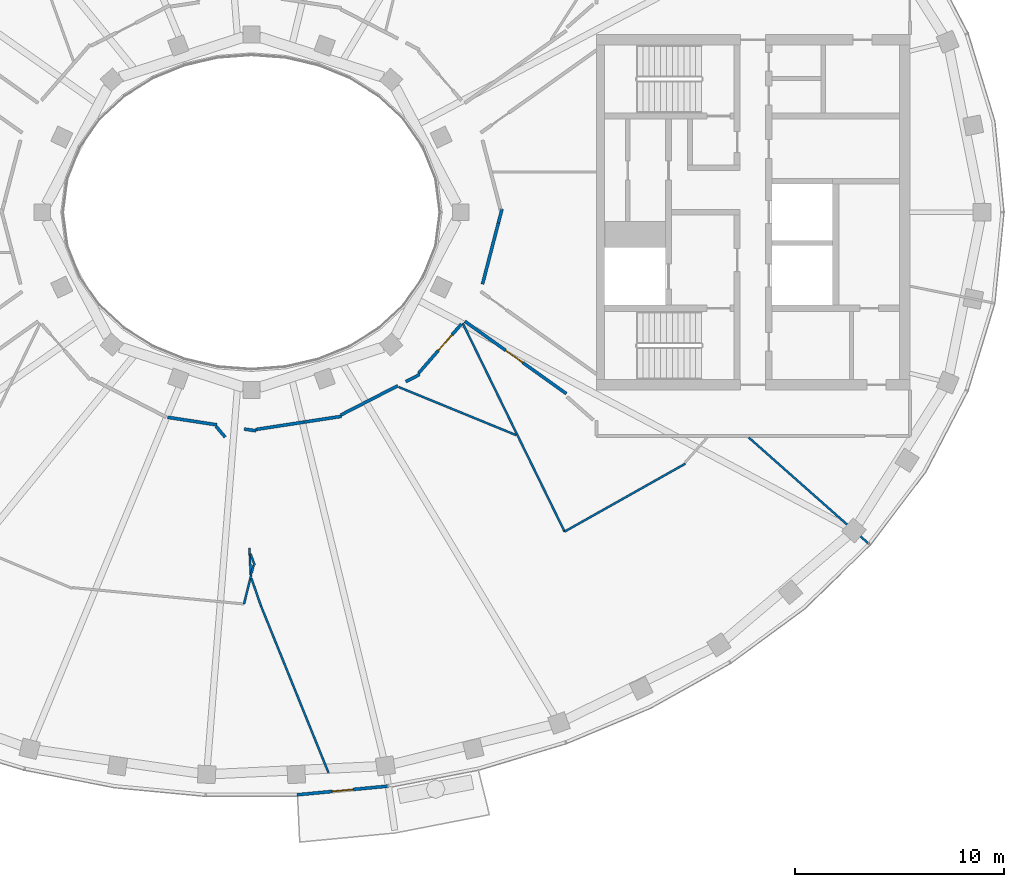
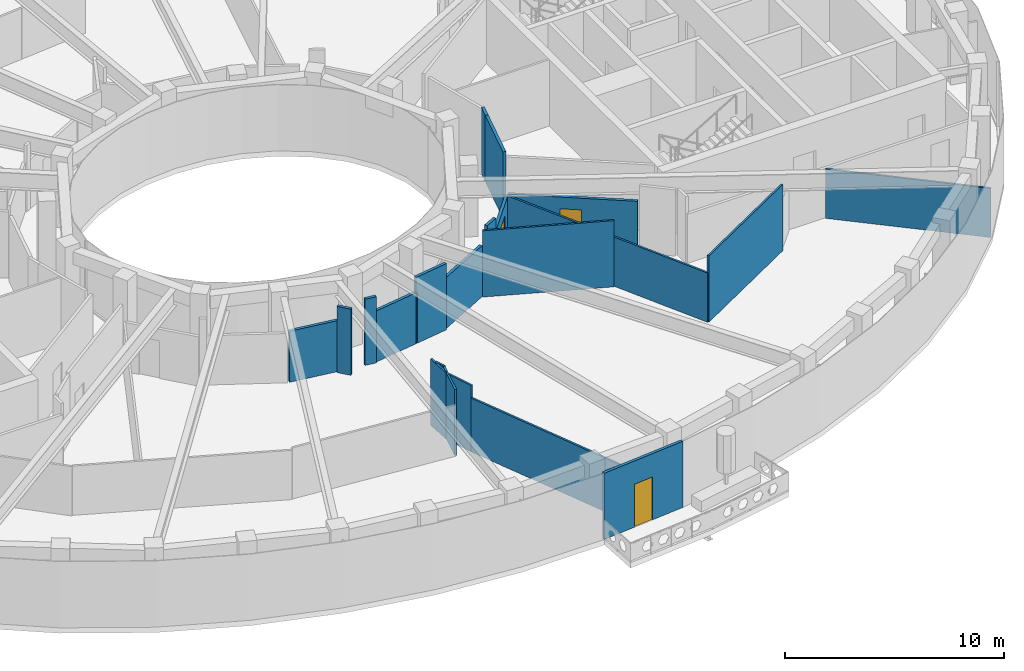
# One storey, part 6 of 20: 22 walls, 3 doors, 3 openings.
"""IFC4 building model written with IfcOpenShell, lengths in metres."""

from ifc_helpers import new_model, si_unit, direction, frame, frame_2d, origin, place, context, subcontext, project, spatial, rectangle, extrude, material, layer, layer_set, type_object, element, fill, save


model = new_model("IFC4")

# Units and contexts
model_context = context("Model", 3, precision=1e-05, world=origin(), true_north=direction((0.0, 1.0)))
body_context = subcontext(model_context, "Body", "Model", "MODEL_VIEW")
ifc_project = project(units=[si_unit("LENGTHUNIT", "METRE"), si_unit("AREAUNIT", "SQUARE_METRE"), si_unit("VOLUMEUNIT", "CUBIC_METRE"), si_unit("PLANEANGLEUNIT", "RADIAN"), si_unit("MASSUNIT", "GRAM", prefix="KILO")], contexts=[model_context])

# Site, building, storey
site_placement = place(None, origin())
site = spatial("IfcSite", under=ifc_project, at=site_placement, CompositionType="ELEMENT")
building_placement = place(site_placement, origin())
building = spatial("IfcBuilding", under=site, at=building_placement, Name="Noorbagh Ring Tower", CompositionType="ELEMENT")
storey_placement = place(building_placement, frame((0.0, 0.0, 323.0)))
storey = spatial("IfcBuildingStorey", under=building, at=storey_placement, Name="L70", CompositionType="ELEMENT", Elevation=323.0)

# Walls
ifc_material_1 = material(Name="Gypsum board on steel studs", Category="steel")
ifc_layer_1 = layer(ifc_material_1, 0.14990234375)
ifc_layer_set_1 = layer_set([ifc_layer_1], Name="Gypsum board on steel studs")
wall_type_1 = type_object("IfcWallType", Name="CORRIDOR PARTITION 150 EI 30", PredefinedType="PARTITIONING", material=ifc_layer_set_1)
wall_1_placement = place(storey_placement, frame((-4.010986328125, -9.81298828125, 0.0), z_axis=(0.0, 0.0, 1.0), x_axis=(0.988396550502, -0.151895552787, 0.0)))
element("IfcWall", 1, at=wall_1_placement, inside=storey, type_object=wall_type_1, Name="L70/wall/P43", PredefinedType="PARTITIONING", context=body_context, shape_type="SweptSolid", body=[
    extrude(rectangle(XDim=2.383544921875, YDim=0.14990234375, at=frame_2d((1.19189453125, 0.0))), origin(), (0.0, 0.0, 1.0), 2.85009765625),
])
wall_2_placement = place(storey_placement, frame((-1.698974609375, -10.243896484375, 0.0), z_axis=(0.0, 0.0, 1.0), x_axis=(0.646838916267, -0.762626655974, 0.0)))
element("IfcWall", 2, at=wall_2_placement, inside=storey, type_object=wall_type_1, Name="L70/wall/P45", PredefinedType="PARTITIONING", context=body_context, shape_type="SweptSolid", body=[
    extrude(rectangle(XDim=0.68310546875, YDim=0.14990234375, at=frame_2d((0.341552734375, 0.0))), origin(), (0.0, 0.0, 1.0), 3.699951171875),
])
wall_3_placement = place(storey_placement, frame((-0.34912109375, -10.375, 0.0), z_axis=(0.0, 0.0, 1.0), x_axis=(0.98872708804, -0.149728906283, 0.0)))
element("IfcWall", 3, at=wall_3_placement, inside=storey, type_object=wall_type_1, Name="L70/wall/P50", PredefinedType="PARTITIONING", context=body_context, shape_type="SweptSolid", body=[
    extrude(rectangle(XDim=0.5673828125, YDim=0.14990234375, at=frame_2d((0.28369140625, 0.0))), origin(), (0.0, 0.0, 1.0), 3.699951171875),
])
wall_4_placement = place(storey_placement, frame((0.2119140625, -10.39599609375, 0.0), z_axis=(0.0, 0.0, 1.0), x_axis=(0.988452196461, 0.151533017232, 0.0)))
element("IfcWall", 4, at=wall_4_placement, inside=storey, type_object=wall_type_1, Name="L70/wall/P55", PredefinedType="PARTITIONING", context=body_context, shape_type="SweptSolid", body=[
    extrude(rectangle(XDim=2.4150390625, YDim=0.14990234375, at=frame_2d((1.20751953125, 0.0))), origin(), (0.0, 0.0, 1.0), 2.85009765625),
])
wall_5_placement = place(storey_placement, frame((2.52099609375, -10.0419921875, 0.0), z_axis=(0.0, 0.0, 1.0), x_axis=(0.988396814715, 0.151893833519, 0.0)))
element("IfcWall", 5, at=wall_5_placement, inside=storey, type_object=wall_type_1, Name="L70/wall/P59", PredefinedType="PARTITIONING", context=body_context, shape_type="SweptSolid", body=[
    extrude(rectangle(XDim=1.796875, YDim=0.14990234375, at=frame_2d((0.8984375, 0.0))), origin(), (0.0, 0.0, 1.0), 3.699951171875),
])
wall_6_placement = place(storey_placement, frame((4.27587890625, -9.7041015625, 0.0), z_axis=(0.0, 0.0, 1.0), x_axis=(0.889338682752, 0.45724906491, 0.0)))
element("IfcWall", 6, at=wall_6_placement, inside=storey, type_object=wall_type_1, Name="L70/wall/P60", PredefinedType="PARTITIONING", context=body_context, shape_type="SweptSolid", body=[
    extrude(rectangle(XDim=3.06640625, YDim=0.14990234375, at=frame_2d((1.533203125, 0.0))), origin(), (0.0, 0.0, 1.0), 2.85009765625),
])
wall_7_placement = place(storey_placement, frame((7.385986328125, -8.10595703125, 0.0), z_axis=(0.0, 0.0, 1.0), x_axis=(0.888883911649, 0.458132504426, 0.0)))
element("IfcWall", 7, at=wall_7_placement, inside=storey, type_object=wall_type_1, Name="L70/wall/P64", PredefinedType="PARTITIONING", context=body_context, shape_type="SweptSolid", body=[
    extrude(rectangle(XDim=0.731201171875, YDim=0.14990234375, at=frame_2d((0.36572265625, 0.0))), origin(), (0.0, 0.0, 1.0), 3.699951171875),
])

# Wall, opening, door
wall_8_placement = place(storey_placement, frame((7.988037109375, -7.7109375, 0.0), z_axis=(0.0, 0.0, 1.0), x_axis=(0.656702027819, 0.754150148616, 0.0)))
wall_8 = element("IfcWall", 8, at=wall_8_placement, inside=storey, type_object=wall_type_1, Name="L70/wall/P66", PredefinedType="PARTITIONING", context=body_context, shape_type="SweptSolid", body=[
    extrude(rectangle(XDim=3.129150390625, YDim=0.14990234375, at=frame_2d((1.564453125, 0.0))), origin(), (0.0, 0.0, 1.0), 2.75),
])
opening_1_placement = place(wall_8_placement, frame((1.447265625, 0.0, 0.0)))
opening_1 = element("IfcOpeningElement", 9, at=opening_1_placement, cuts=wall_8, Name="Opening D1", PredefinedType="OPENING", context=body_context, shape_type="SweptSolid", body=[
    extrude(rectangle(XDim=1.0, YDim=2.10009765625, at=frame_2d((0.5, 1.050048828125))), frame((0.0, 0.0849609375, 0.0), z_axis=(0.0, -1.0, 0.0), x_axis=(1.0, 0.0, 0.0)), (0.0, 0.0, 1.0), 0.169921875),
])
ifc_material_2 = material(Name="Timber, painted", Category="wood")
door_type_1 = type_object("IfcDoorType", Name="DOOR 1000 X 2100 FD30", OperationType="SINGLE_SWING_LEFT", PredefinedType="DOOR", material=ifc_material_2)
door_1_placement = place(opening_1_placement, origin())
door_1 = element("IfcDoor", 10, at=door_1_placement, inside=storey, type_object=door_type_1, Name="L70-D12", OperationType="SINGLE_SWING_RIGHT", OverallHeight=2.10009765625, OverallWidth=1.0, PredefinedType="DOOR", context=body_context, shape_type="SweptSolid", body=[
    extrude(rectangle(XDim=1.0, YDim=2.10009765625, at=frame_2d((0.5, 1.050048828125))), frame((0.0, 0.02490234375, 0.0), z_axis=(0.0, -1.0, 0.0), x_axis=(1.0, 0.0, 0.0)), (0.0, 0.0, 1.0), 0.050048828125),
])
fill(opening_1, door_1)

wall_9_placement = place(storey_placement, frame((10.2080078125, -5.220947265625, 0.0), z_axis=(0.0, 0.0, 1.0), x_axis=(0.814106730479, -0.580715275663, 0.0)))
wall_9 = element("IfcWall", 11, at=wall_9_placement, inside=storey, type_object=wall_type_1, Name="L70/wall/P69", PredefinedType="PARTITIONING", context=body_context, shape_type="SweptSolid", body=[
    extrude(rectangle(XDim=5.963623046875, YDim=0.14990234375, at=frame_2d((2.98193359375, 0.0))), origin(), (0.0, 0.0, 1.0), 2.75),
])
opening_2_placement = place(wall_9_placement, frame((2.39990234375, 0.0, 0.0)))
opening_2 = element("IfcOpeningElement", 12, at=opening_2_placement, cuts=wall_9, Name="Opening D1", PredefinedType="OPENING", context=body_context, shape_type="SweptSolid", body=[
    extrude(rectangle(XDim=1.0, YDim=2.10009765625, at=frame_2d((0.5, 1.050048828125))), frame((0.0, 0.0849609375, 0.0), z_axis=(0.0, -1.0, 0.0), x_axis=(1.0, 0.0, 0.0)), (0.0, 0.0, 1.0), 0.169921875),
])
door_2_placement = place(opening_2_placement, origin())
door_2 = element("IfcDoor", 13, at=door_2_placement, inside=storey, type_object=door_type_1, Name="L70-D13", OperationType="SINGLE_SWING_LEFT", OverallHeight=2.10009765625, OverallWidth=1.0, PredefinedType="DOOR", context=body_context, shape_type="SweptSolid", body=[
    extrude(rectangle(XDim=1.0, YDim=2.10009765625, at=frame_2d((0.5, 1.050048828125))), frame((0.0, 0.02490234375, 0.0), z_axis=(0.0, -1.0, 0.0), x_axis=(1.0, 0.0, 0.0)), (0.0, 0.0, 1.0), 0.050048828125),
])
fill(opening_2, door_2)

# Walls
wall_10_placement = place(storey_placement, frame((11.051025390625, -3.445068359375, 0.0), z_axis=(0.0, 0.0, 1.0), x_axis=(0.25119126736, 0.967937470709, 0.0)))
element("IfcWall", 14, at=wall_10_placement, inside=storey, type_object=wall_type_1, Name="L70/wall/P73", PredefinedType="PARTITIONING", context=body_context, shape_type="SweptSolid", body=[
    extrude(rectangle(XDim=3.0693359375, YDim=0.14990234375, at=frame_2d((1.53466796875, 0.0))), origin(), (0.0, 0.0, 1.0), 3.699951171875),
])
wall_11_placement = place(storey_placement, frame((11.81005859375, -0.51904296875, 0.0), z_axis=(0.0, 0.0, 1.0), x_axis=(0.251845889869, 0.967767352082, 0.0)))
element("IfcWall", 15, at=wall_11_placement, inside=storey, type_object=wall_type_1, Name="L70/wall/P76", PredefinedType="PARTITIONING", context=body_context, shape_type="SweptSolid", body=[
    extrude(rectangle(XDim=0.690185546875, YDim=0.14990234375, at=frame_2d((0.34521484375, 0.0))), origin(), (0.0, 0.0, 1.0), 3.699951171875),
])

# Wall, opening, door
ifc_material_3 = material(Name="Insulated aluminium clad panel", Category="aluminium")
ifc_layer_2 = layer(ifc_material_3, 0.14990234375)
ifc_layer_set_2 = layer_set([ifc_layer_2], Name="Insulated aluminium clad panel")
wall_type_2 = type_object("IfcWallType", Name="ENV-WALL-DOOR", PredefinedType="STANDARD", material=ifc_layer_set_2)
wall_12_placement = place(storey_placement, frame((2.166259765625, -27.875244140625, 0.0), z_axis=(0.0, 0.0, 1.0), x_axis=(0.995473879823, 0.095035543824, 0.0)))
wall_12 = element("IfcWall", 16, at=wall_12_placement, inside=storey, type_object=wall_type_2, Name="Balcony door wall chord 36", PredefinedType="STANDARD", context=body_context, shape_type="SweptSolid", body=[
    extrude(rectangle(XDim=4.42626953125, YDim=0.14990234375, at=frame_2d((2.213134765625, 0.0))), origin(), (0.0, 0.0, 1.0), 3.699951171875),
])
opening_3_placement = place(wall_12_placement, frame((1.713134765625, 0.0, 0.0)))
opening_3 = element("IfcOpeningElement", 17, at=opening_3_placement, cuts=wall_12, Name="Opening D-BL", PredefinedType="OPENING", context=body_context, shape_type="SweptSolid", body=[
    extrude(rectangle(XDim=1.0, YDim=2.39990234375, at=frame_2d((0.5, 1.199951171875))), frame((0.0, 0.0849609375, 0.0), z_axis=(0.0, -1.0, 0.0), x_axis=(1.0, 0.0, 0.0)), (0.0, 0.0, 1.0), 0.169921875),
])
ifc_material_4 = material(Name="Aluminium and glass", Category="aluminium")
door_type_2 = type_object("IfcDoorType", Name="ENV-DOOR-BALCONY", OperationType="SINGLE_SWING_LEFT", PredefinedType="DOOR", material=ifc_material_4)
door_3_placement = place(opening_3_placement, origin())
door_3 = element("IfcDoor", 18, at=door_3_placement, inside=storey, type_object=door_type_2, Name="Balcony door chord 36", OperationType="SINGLE_SWING_LEFT", OverallHeight=2.39990234375, OverallWidth=1.0, PredefinedType="DOOR", context=body_context, shape_type="SweptSolid", body=[
    extrude(rectangle(XDim=1.0, YDim=2.39990234375, at=frame_2d((0.5, 1.199951171875))), frame((0.0, 0.02490234375, 0.0), z_axis=(0.0, -1.0, 0.0), x_axis=(1.0, 0.0, 0.0)), (0.0, 0.0, 1.0), 0.050048828125),
])
fill(opening_3, door_3)

# Walls
ifc_material_5 = material(Name="Gypsum board on steel studs", Category="steel")
ifc_layer_3 = layer(ifc_material_5, 0.10009765625)
ifc_layer_set_3 = layer_set([ifc_layer_3], Name="Gypsum board on steel studs")
wall_type_3 = type_object("IfcWallType", Name="PARTITION 100 GYPSUM", PredefinedType="PARTITIONING", material=ifc_layer_set_3)
wall_13_placement = place(storey_placement, frame((-0.35791015625, -18.7451171875, 0.0), z_axis=(0.0, 0.0, 1.0), x_axis=(0.239227791755, 0.970963471842, 0.0)))
element("IfcWall", 19, at=wall_13_placement, inside=storey, type_object=wall_type_3, Name="L70/wall/P49", PredefinedType="PARTITIONING", context=body_context, shape_type="SweptSolid", body=[
    extrude(rectangle(XDim=1.442138671875, YDim=0.10009765625, at=frame_2d((0.72119140625, 0.0))), origin(), (0.0, 0.0, 1.0), 3.699951171875),
])
wall_14_placement = place(storey_placement, frame((-0.097900390625, -16.072998046875, 0.0), z_axis=(0.0, 0.0, 1.0), x_axis=(0.047905659678, -0.998851864778, 0.0)))
element("IfcWall", 20, at=wall_14_placement, inside=storey, type_object=wall_type_3, Name="L70/wall/P51", PredefinedType="PARTITIONING", context=body_context, shape_type="SweptSolid", body=[
    extrude(rectangle(XDim=1.29443359375, YDim=0.10009765625, at=frame_2d((0.647216796875, 0.0))), origin(), (0.0, 0.0, 1.0), 3.699951171875),
])
wall_15_placement = place(storey_placement, frame((-0.0419921875, -16.35009765625, 0.0), z_axis=(0.0, 0.0, 1.0), x_axis=(0.339445104011, -0.940625866837, 0.0)))
element("IfcWall", 21, at=wall_15_placement, inside=storey, type_object=wall_type_3, Name="L70/wall/P52", PredefinedType="PARTITIONING", context=body_context, shape_type="SweptSolid", body=[
    extrude(rectangle(XDim=0.57177734375, YDim=0.10009765625, at=frame_2d((0.285888671875, 0.0))), origin(), (0.0, 0.0, 1.0), 3.699951171875),
])
wall_16_placement = place(storey_placement, frame((-0.0029296875, -17.51806640625, 0.0), z_axis=(0.0, 0.0, 1.0), x_axis=(0.326192493346, -0.945303367858, 0.0)))
element("IfcWall", 22, at=wall_16_placement, inside=storey, type_object=wall_type_3, Name="L70/wall/P53", PredefinedType="PARTITIONING", context=body_context, shape_type="SweptSolid", body=[
    extrude(rectangle(XDim=1.37939453125, YDim=0.10009765625, at=frame_2d((0.689697265625, 0.0))), origin(), (0.0, 0.0, 1.0), 3.699951171875),
])
wall_17_placement = place(storey_placement, frame((0.001953125, -17.283935546875, 0.0), z_axis=(0.0, 0.0, 1.0), x_axis=(0.240121592304, 0.970742819139, 0.0)))
element("IfcWall", 23, at=wall_17_placement, inside=storey, type_object=wall_type_3, Name="L70/wall/P54", PredefinedType="PARTITIONING", context=body_context, shape_type="SweptSolid", body=[
    extrude(rectangle(XDim=0.404541015625, YDim=0.10009765625, at=frame_2d((0.2021484375, 0.0))), origin(), (0.0, 0.0, 1.0), 3.699951171875),
])
wall_18_placement = place(storey_placement, frame((0.447021484375, -18.822021484375, 0.0), z_axis=(0.0, 0.0, 1.0), x_axis=(0.375274349788, -0.926913783688, 0.0)))
element("IfcWall", 24, at=wall_18_placement, inside=storey, type_object=wall_type_3, Name="L70/wall/P57", PredefinedType="PARTITIONING", context=body_context, shape_type="SweptSolid", body=[
    extrude(rectangle(XDim=8.631103515625, YDim=0.10009765625, at=frame_2d((4.3154296875, 0.0))), origin(), (0.0, 0.0, 1.0), 3.0),
])
wall_19_placement = place(storey_placement, frame((7.0458984375, -8.367919921875, 0.0), z_axis=(0.0, 0.0, 1.0), x_axis=(0.925438053767, -0.378898942517, 0.0)))
element("IfcWall", 25, at=wall_19_placement, inside=storey, type_object=wall_type_3, Name="L70/wall/P63", PredefinedType="PARTITIONING", context=body_context, shape_type="SweptSolid", body=[
    extrude(rectangle(XDim=6.072998046875, YDim=0.10009765625, at=frame_2d((3.03662109375, 0.0))), origin(), (0.0, 0.0, 1.0), 3.699951171875),
])
wall_20_placement = place(storey_placement, frame((10.10302734375, -5.31201171875, 0.0), z_axis=(0.0, 0.0, 1.0), x_axis=(0.439267736005, -0.898356196676, 0.0)))
element("IfcWall", 26, at=wall_20_placement, inside=storey, type_object=wall_type_3, Name="L70/wall/P68", PredefinedType="PARTITIONING", context=body_context, shape_type="SweptSolid", body=[
    extrude(rectangle(XDim=11.097900390625, YDim=0.10009765625, at=frame_2d((5.548828125, 0.0))), origin(), (0.0, 0.0, 1.0), 2.75),
])
wall_21_placement = place(storey_placement, frame((14.97802734375, -15.281982421875, 0.0), z_axis=(0.0, 0.0, 1.0), x_axis=(0.871558820261, 0.490290957315, 0.0)))
element("IfcWall", 27, at=wall_21_placement, inside=storey, type_object=wall_type_3, Name="L70/wall/P79", PredefinedType="PARTITIONING", context=body_context, shape_type="SweptSolid", body=[
    extrude(rectangle(XDim=6.630615234375, YDim=0.10009765625, at=frame_2d((3.3154296875, 0.0))), origin(), (0.0, 0.0, 1.0), 3.699951171875),
])
wall_22_placement = place(storey_placement, frame((23.784912109375, -10.778076171875, 0.0), z_axis=(0.0, 0.0, 1.0), x_axis=(0.748985701008, -0.662586160198, 0.0)))
element("IfcWall", 28, at=wall_22_placement, inside=storey, type_object=wall_type_3, Name="L70/wall/P87", PredefinedType="PARTITIONING", context=body_context, shape_type="SweptSolid", body=[
    extrude(rectangle(XDim=7.72265625, YDim=0.10009765625, at=frame_2d((3.861328125, 0.0))), origin(), (0.0, 0.0, 1.0), 2.75),
])

save(model, "model.ifc")
